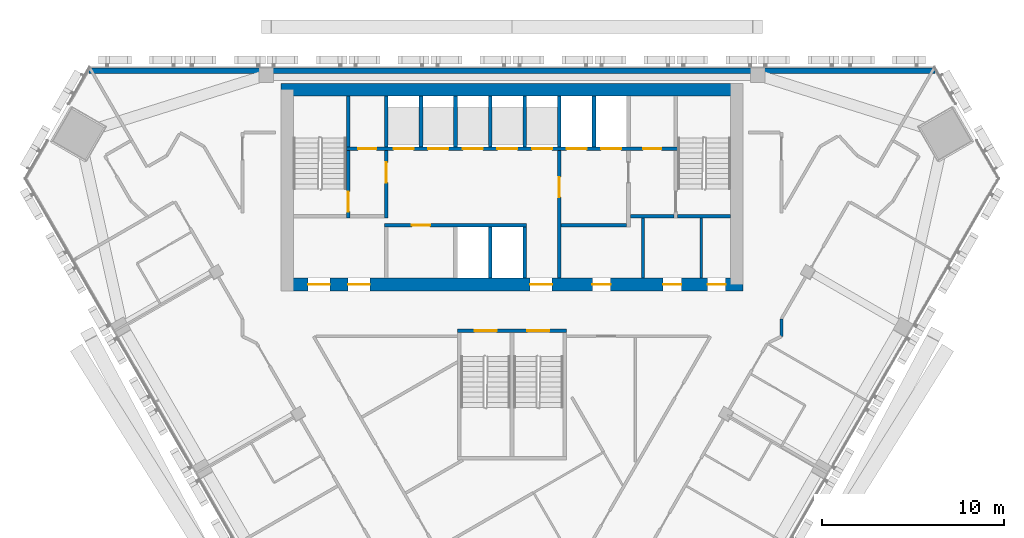
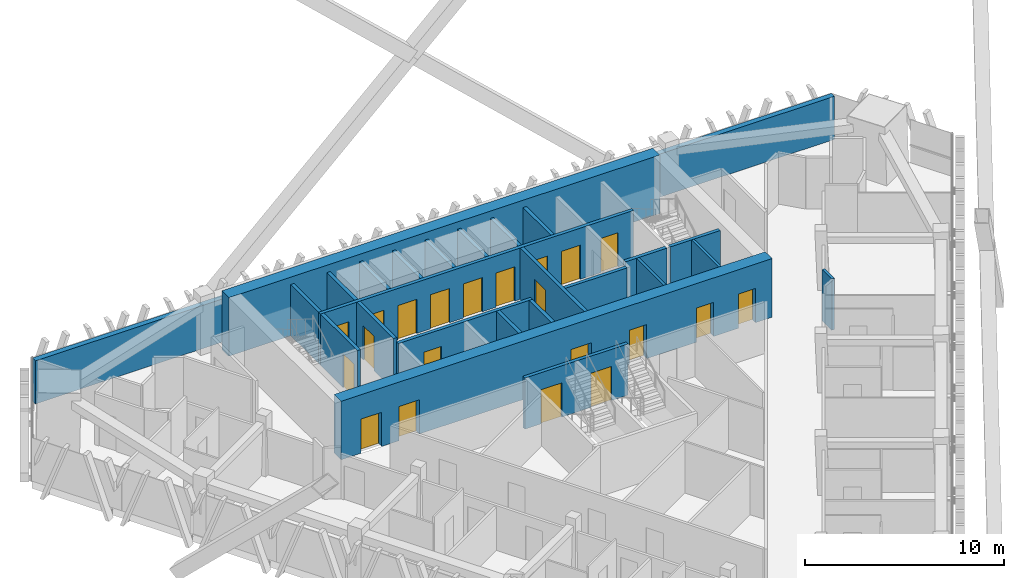
# One storey, part 13 of 18: 25 walls, 21 doors, 21 openings.
"""IFC4 building model written with IfcOpenShell, lengths in metres."""

from ifc_helpers import new_model, si_unit, direction, frame, frame_2d, origin, place, context, subcontext, project, spatial, rectangle, extrude, material, layer, layer_set, type_object, element, fill, save


model = new_model("IFC4")

# Units and contexts
model_context = context("Model", 3, precision=1e-05, world=origin(), true_north=direction((0.0, 1.0)))
body_context = subcontext(model_context, "Body", "Model", "MODEL_VIEW")
ifc_project = project(units=[si_unit("LENGTHUNIT", "METRE"), si_unit("AREAUNIT", "SQUARE_METRE"), si_unit("VOLUMEUNIT", "CUBIC_METRE"), si_unit("PLANEANGLEUNIT", "RADIAN"), si_unit("MASSUNIT", "GRAM", prefix="KILO")], contexts=[model_context])

# Site, building, storey
site_placement = place(None, origin())
site = spatial("IfcSite", under=ifc_project, at=site_placement, CompositionType="ELEMENT")
building_placement = place(site_placement, origin())
building = spatial("IfcBuilding", under=site, at=building_placement, Name="Altiplano Prism Tower", CompositionType="ELEMENT")
storey_placement = place(building_placement, frame((0.0, 0.0, 163.800048828125)))
storey = spatial("IfcBuildingStorey", under=building, at=storey_placement, Name="L42", CompositionType="ELEMENT", Elevation=163.800048828125)

# Wall, openings, doors
ifc_material_1 = material(Name="Concrete C60/75", Category="concrete")
ifc_layer_1 = layer(ifc_material_1, 0.699951171875)
ifc_layer_set_1 = layer_set([ifc_layer_1], Name="Concrete C60/75")
wall_type_1 = type_object("IfcWallType", Name="Core wall 700", PredefinedType="SHEAR", material=ifc_layer_set_1)
wall_1_placement = place(storey_placement, frame((72.64990234375, 93.050048828125, 0.0), z_axis=(0.0, 0.0, 1.0), x_axis=(1.0, 0.0, 0.0)))
wall_1 = element("IfcWall", 1, at=wall_1_placement, inside=storey, type_object=wall_type_1, Name="Core wall S L42", PredefinedType="SHEAR", context=body_context, shape_type="SweptSolid", body=[
    extrude(rectangle(XDim=25.050048828125, YDim=0.699951171875, at=frame_2d((12.52490234375, 0.0))), origin(), (0.0, 0.0, 1.0), 3.599853515625),
])
opening_1_placement = place(wall_1_placement, frame((1.14990234375, 0.0, 0.0)))
opening_1 = element("IfcOpeningElement", 2, at=opening_1_placement, cuts=wall_1, Name="Opening D3159", PredefinedType="OPENING", context=body_context, shape_type="SweptSolid", body=[
    extrude(rectangle(XDim=1.199951171875, YDim=2.10009765625, at=frame_2d((0.60009765625, 1.050048828125))), frame((0.0, 0.3603515625, 0.0), z_axis=(0.0, -1.0, 0.0), x_axis=(1.0, 0.0, 0.0)), (0.0, 0.0, 1.0), 0.720947265625),
])
opening_2_placement = place(wall_1_placement, frame((3.35009765625, 0.0, 0.0)))
opening_2 = element("IfcOpeningElement", 3, at=opening_2_placement, cuts=wall_1, Name="Opening D3160", PredefinedType="OPENING", context=body_context, shape_type="SweptSolid", body=[
    extrude(rectangle(XDim=1.199951171875, YDim=2.10009765625, at=frame_2d((0.60009765625, 1.050048828125))), frame((0.0, 0.3603515625, 0.0), z_axis=(0.0, -1.0, 0.0), x_axis=(1.0, 0.0, 0.0)), (0.0, 0.0, 1.0), 0.720947265625),
])
opening_3_placement = place(wall_1_placement, frame((13.35009765625, 0.0, 0.0)))
opening_3 = element("IfcOpeningElement", 4, at=opening_3_placement, cuts=wall_1, Name="Opening D3161", PredefinedType="OPENING", context=body_context, shape_type="SweptSolid", body=[
    extrude(rectangle(XDim=1.199951171875, YDim=2.10009765625, at=frame_2d((0.60009765625, 1.050048828125))), frame((0.0, 0.3603515625, 0.0), z_axis=(0.0, -1.0, 0.0), x_axis=(1.0, 0.0, 0.0)), (0.0, 0.0, 1.0), 0.720947265625),
])
opening_4_placement = place(wall_1_placement, frame((16.762451171875, 0.0, 0.0)))
opening_4 = element("IfcOpeningElement", 5, at=opening_4_placement, cuts=wall_1, Name="Opening D3164", PredefinedType="OPENING", context=body_context, shape_type="SweptSolid", body=[
    extrude(rectangle(XDim=1.0, YDim=2.10009765625, at=frame_2d((0.5, 1.050048828125))), frame((0.0, 0.3603515625, 0.0), z_axis=(0.0, -1.0, 0.0), x_axis=(1.0, 0.0, 0.0)), (0.0, 0.0, 1.0), 0.720947265625),
])
opening_5_placement = place(wall_1_placement, frame((20.64990234375, 0.0, 0.0)))
opening_5 = element("IfcOpeningElement", 6, at=opening_5_placement, cuts=wall_1, Name="Opening D3165", PredefinedType="OPENING", context=body_context, shape_type="SweptSolid", body=[
    extrude(rectangle(XDim=1.0, YDim=2.10009765625, at=frame_2d((0.5, 1.050048828125))), frame((0.0, 0.3603515625, 0.0), z_axis=(0.0, -1.0, 0.0), x_axis=(1.0, 0.0, 0.0)), (0.0, 0.0, 1.0), 0.720947265625),
])
opening_6_placement = place(wall_1_placement, frame((23.08740234375, 0.0, 0.0)))
opening_6 = element("IfcOpeningElement", 7, at=opening_6_placement, cuts=wall_1, Name="Opening D3166", PredefinedType="OPENING", context=body_context, shape_type="SweptSolid", body=[
    extrude(rectangle(XDim=1.0, YDim=2.10009765625, at=frame_2d((0.5, 1.050048828125))), frame((0.0, 0.3603515625, 0.0), z_axis=(0.0, -1.0, 0.0), x_axis=(1.0, 0.0, 0.0)), (0.0, 0.0, 1.0), 0.720947265625),
])
ifc_material_2 = material(Name="Fire-rated steel door", Category="steel")
door_type_1 = type_object("IfcDoorType", Name="Core room door 1000 x 2100", OperationType="NOTDEFINED", PredefinedType="NOTDEFINED", material=ifc_material_2)
door_1_placement = place(opening_4_placement, origin())
door_1 = element("IfcDoor", 8, at=door_1_placement, inside=storey, type_object=door_type_1, Name="Core room door D3164", OperationType="SINGLE_SWING_RIGHT", OverallHeight=2.10009765625, OverallWidth=1.0, PredefinedType="NOTDEFINED", context=body_context, shape_type="SweptSolid", body=[
    extrude(rectangle(XDim=1.0, YDim=2.10009765625, at=frame_2d((0.5, 1.050048828125))), frame((0.0, 0.02490234375, 0.0), z_axis=(0.0, -1.0, 0.0), x_axis=(1.0, 0.0, 0.0)), (0.0, 0.0, 1.0), 0.050048828125),
])
fill(opening_4, door_1)
door_2_placement = place(opening_5_placement, origin())
door_2 = element("IfcDoor", 9, at=door_2_placement, inside=storey, type_object=door_type_1, Name="Core room door D3165", OperationType="SINGLE_SWING_LEFT", OverallHeight=2.10009765625, OverallWidth=1.0, PredefinedType="NOTDEFINED", context=body_context, shape_type="SweptSolid", body=[
    extrude(rectangle(XDim=1.0, YDim=2.10009765625, at=frame_2d((0.5, 1.050048828125))), frame((0.0, 0.02490234375, 0.0), z_axis=(0.0, -1.0, 0.0), x_axis=(1.0, 0.0, 0.0)), (0.0, 0.0, 1.0), 0.050048828125),
])
fill(opening_5, door_2)
door_3_placement = place(opening_6_placement, origin())
door_3 = element("IfcDoor", 10, at=door_3_placement, inside=storey, type_object=door_type_1, Name="Core room door D3166", OperationType="SINGLE_SWING_RIGHT", OverallHeight=2.10009765625, OverallWidth=1.0, PredefinedType="NOTDEFINED", context=body_context, shape_type="SweptSolid", body=[
    extrude(rectangle(XDim=1.0, YDim=2.10009765625, at=frame_2d((0.5, 1.050048828125))), frame((0.0, 0.02490234375, 0.0), z_axis=(0.0, -1.0, 0.0), x_axis=(1.0, 0.0, 0.0)), (0.0, 0.0, 1.0), 0.050048828125),
])
fill(opening_6, door_3)
door_type_2 = type_object("IfcDoorType", Name="Lobby fire door 1200 x 2100", OperationType="NOTDEFINED", PredefinedType="NOTDEFINED", material=ifc_material_2)
door_4_placement = place(opening_1_placement, origin())
door_4 = element("IfcDoor", 11, at=door_4_placement, inside=storey, type_object=door_type_2, Name="Lobby fire door D3159", OperationType="SINGLE_SWING_RIGHT", OverallHeight=2.10009765625, OverallWidth=1.199951171875, PredefinedType="NOTDEFINED", context=body_context, shape_type="SweptSolid", body=[
    extrude(rectangle(XDim=1.199951171875, YDim=2.10009765625, at=frame_2d((0.60009765625, 1.050048828125))), frame((0.0, 0.02490234375, 0.0), z_axis=(0.0, -1.0, 0.0), x_axis=(1.0, 0.0, 0.0)), (0.0, 0.0, 1.0), 0.050048828125),
])
fill(opening_1, door_4)
door_5_placement = place(opening_2_placement, origin())
door_5 = element("IfcDoor", 12, at=door_5_placement, inside=storey, type_object=door_type_2, Name="Lobby fire door D3160", OperationType="SINGLE_SWING_LEFT", OverallHeight=2.10009765625, OverallWidth=1.199951171875, PredefinedType="NOTDEFINED", context=body_context, shape_type="SweptSolid", body=[
    extrude(rectangle(XDim=1.199951171875, YDim=2.10009765625, at=frame_2d((0.60009765625, 1.050048828125))), frame((0.0, 0.02490234375, 0.0), z_axis=(0.0, -1.0, 0.0), x_axis=(1.0, 0.0, 0.0)), (0.0, 0.0, 1.0), 0.050048828125),
])
fill(opening_2, door_5)
door_6_placement = place(opening_3_placement, origin())
door_6 = element("IfcDoor", 13, at=door_6_placement, inside=storey, type_object=door_type_2, Name="Lobby fire door D3161", OperationType="SINGLE_SWING_RIGHT", OverallHeight=2.10009765625, OverallWidth=1.199951171875, PredefinedType="NOTDEFINED", context=body_context, shape_type="SweptSolid", body=[
    extrude(rectangle(XDim=1.199951171875, YDim=2.10009765625, at=frame_2d((0.60009765625, 1.050048828125))), frame((0.0, 0.02490234375, 0.0), z_axis=(0.0, -1.0, 0.0), x_axis=(1.0, 0.0, 0.0)), (0.0, 0.0, 1.0), 0.050048828125),
])
fill(opening_3, door_6)

# Walls
wall_2_placement = place(storey_placement, frame((97.35009765625, 103.75, 0.0), z_axis=(0.0, 0.0, 1.0), x_axis=(-1.0, 0.0, 0.0)))
element("IfcWall", 14, at=wall_2_placement, inside=storey, type_object=wall_type_1, Name="Core wall N L42", PredefinedType="SHEAR", context=body_context, shape_type="SweptSolid", body=[
    extrude(rectangle(XDim=25.050048828125, YDim=0.699951171875, at=frame_2d((12.52490234375, 0.0))), origin(), (0.0, 0.0, 1.0), 3.599853515625),
])
ifc_material_3 = material(Name="Plasterboard on steel stud", Category="steel")
ifc_layer_2 = layer(ifc_material_3, 0.14990234375)
ifc_layer_set_2 = layer_set([ifc_layer_2], Name="Plasterboard on steel stud")
wall_type_2 = type_object("IfcWallType", Name="Partition 150 corridor", PredefinedType="PARTITIONING", material=ifc_layer_set_2)
wall_3_placement = place(storey_placement, frame((99.800048828125, 90.199951171875, 0.0), z_axis=(0.0, 0.0, 1.0), x_axis=(0.0, 1.0, 0.0)))
element("IfcWall", 15, at=wall_3_placement, inside=storey, type_object=wall_type_2, Name="Partition P06 L42 015", PredefinedType="PARTITIONING", context=body_context, shape_type="SweptSolid", body=[
    extrude(rectangle(XDim=0.9638671875, YDim=0.14990234375, at=frame_2d((0.48193359375, 0.0))), origin(), (0.0, 0.0, 1.0), 3.14990234375),
])
ifc_material_4 = material(Name="Fire-rated gypsum board partition")
ifc_layer_3 = layer(ifc_material_4, 0.14990234375)
ifc_layer_set_3 = layer_set([ifc_layer_3], Name="Fire-rated gypsum board partition")
wall_type_3 = type_object("IfcWallType", Name="Room partition 150", PredefinedType="PARTITIONING", material=ifc_layer_set_3)
for number, where, z_axis, x_axis, name in (
    (16, (92.199951171875, 93.39990234375, 0.0), (0.0, 0.0, 1.0), (0.0, 1.0, 0.0), "Room partition L42"),
    (17, (95.39990234375, 93.39990234375, 0.0), (0.0, 0.0, 1.0), (0.0, 1.0, 0.0), "Room partition L42"),
):
    element("IfcWall", number, at=place(storey_placement, frame(where, z_axis=z_axis, x_axis=x_axis)), inside=storey, type_object=wall_type_3, Name=name, PredefinedType="PARTITIONING", context=body_context, shape_type="SweptSolid", body=[
        extrude(rectangle(XDim=3.300048828125, YDim=0.14990234375, at=frame_2d((1.64990234375, 0.0))), origin(), (0.0, 0.0, 1.0), 3.14990234375),
    ])
ifc_layer_4 = layer(ifc_material_1, 0.199951171875)
ifc_layer_set_4 = layer_set([ifc_layer_4], Name="Concrete C60/75")
wall_type_4 = type_object("IfcWallType", Name="Shaft wall 200", PredefinedType="SOLIDWALL", material=ifc_layer_set_4)
for number, where, z_axis, x_axis, name in (
    (18, (83.800048828125, 93.39990234375, 0.0), (0.0, 0.0, 1.0), (0.0, 1.0, 0.0), "Shaft wall L42"),
    (19, (85.699951171875, 93.39990234375, 0.0), (0.0, 0.0, 1.0), (0.0, 1.0, 0.0), "Shaft wall L42"),
):
    element("IfcWall", number, at=place(storey_placement, frame(where, z_axis=z_axis, x_axis=x_axis)), inside=storey, type_object=wall_type_4, Name=name, PredefinedType="SOLIDWALL", context=body_context, shape_type="SweptSolid", body=[
        extrude(rectangle(XDim=2.800048828125, YDim=0.199951171875, at=frame_2d((1.39990234375, 0.0))), origin(), (0.0, 0.0, 1.0), 3.14990234375),
    ])

# Wall, opening, door
wall_4_placement = place(storey_placement, frame((78.0, 96.300048828125, 0.0), z_axis=(0.0, 0.0, 1.0), x_axis=(1.0, 0.0, 0.0)))
wall_4 = element("IfcWall", 20, at=wall_4_placement, inside=storey, type_object=wall_type_4, Name="Shaft wall L42", PredefinedType="SOLIDWALL", context=body_context, shape_type="SweptSolid", body=[
    extrude(rectangle(XDim=7.800048828125, YDim=0.199951171875, at=frame_2d((3.89990234375, 0.0))), origin(), (0.0, 0.0, 1.0), 3.14990234375),
])
opening_7_placement = place(wall_4_placement, frame((1.5, 0.0, 0.0)))
opening_7 = element("IfcOpeningElement", 21, at=opening_7_placement, cuts=wall_4, Name="Opening D3167", PredefinedType="OPENING", context=body_context, shape_type="SweptSolid", body=[
    extrude(rectangle(XDim=1.0, YDim=2.10009765625, at=frame_2d((0.5, 1.050048828125))), frame((0.0, 0.1103515625, 0.0), z_axis=(0.0, -1.0, 0.0), x_axis=(1.0, 0.0, 0.0)), (0.0, 0.0, 1.0), 0.220947265625),
])
door_7_placement = place(opening_7_placement, origin())
door_7 = element("IfcDoor", 22, at=door_7_placement, inside=storey, type_object=door_type_1, Name="Core room door D3167", OperationType="SINGLE_SWING_RIGHT", OverallHeight=2.10009765625, OverallWidth=1.0, PredefinedType="NOTDEFINED", context=body_context, shape_type="SweptSolid", body=[
    extrude(rectangle(XDim=1.0, YDim=2.10009765625, at=frame_2d((0.5, 1.050048828125))), frame((0.0, 0.02490234375, 0.0), z_axis=(0.0, -1.0, 0.0), x_axis=(1.0, 0.0, 0.0)), (0.0, 0.0, 1.0), 0.050048828125),
])
fill(opening_7, door_7)

# Walls
for number, where, z_axis, x_axis, name in (
    (23, (78.10009765625, 100.60009765625, 0.0), (0.0, 0.0, 1.0), (0.0, 1.0, 0.0), "Shaft wall L42"),
    (24, (80.0, 100.60009765625, 0.0), (0.0, 0.0, 1.0), (0.0, 1.0, 0.0), "Shaft wall L42"),
    (25, (81.89990234375, 100.60009765625, 0.0), (0.0, 0.0, 1.0), (0.0, 1.0, 0.0), "Shaft wall L42"),
    (26, (83.800048828125, 100.60009765625, 0.0), (0.0, 0.0, 1.0), (0.0, 1.0, 0.0), "Shaft wall L42"),
    (27, (85.699951171875, 100.60009765625, 0.0), (0.0, 0.0, 1.0), (0.0, 1.0, 0.0), "Shaft wall L42"),
    (28, (87.60009765625, 100.60009765625, 0.0), (0.0, 0.0, 1.0), (0.0, 1.0, 0.0), "Shaft wall L42"),
    (29, (89.5, 100.60009765625, 0.0), (0.0, 0.0, 1.0), (0.0, 1.0, 0.0), "Shaft wall L42"),
):
    element("IfcWall", number, at=place(storey_placement, frame(where, z_axis=z_axis, x_axis=x_axis)), inside=storey, type_object=wall_type_4, Name=name, PredefinedType="SOLIDWALL", context=body_context, shape_type="SweptSolid", body=[
        extrude(rectangle(XDim=2.7998046875, YDim=0.199951171875, at=frame_2d((1.39990234375, 0.0))), origin(), (0.0, 0.0, 1.0), 3.14990234375),
    ])

# Wall, opening, door
ifc_layer_5 = layer(ifc_material_1, 0.199951171875)
ifc_layer_set_5 = layer_set([ifc_layer_5], Name="Concrete C60/75")
wall_type_5 = type_object("IfcWallType", Name="Stair wall 200", PredefinedType="SOLIDWALL", material=ifc_layer_set_5)
wall_5_placement = place(storey_placement, frame((76.0, 96.699951171875, 0.0), z_axis=(0.0, 0.0, 1.0), x_axis=(0.0, 1.0, 0.0)))
wall_5 = element("IfcWall", 30, at=wall_5_placement, inside=storey, type_object=wall_type_5, Name="Stair wall L42", PredefinedType="SOLIDWALL", context=body_context, shape_type="SweptSolid", body=[
    extrude(rectangle(XDim=3.699951171875, YDim=0.199951171875, at=frame_2d((1.85009765625, 0.0))), origin(), (0.0, 0.0, 1.0), 3.14990234375),
])
opening_8_placement = place(wall_5_placement, frame((0.35009765625, 0.0, 0.0)))
opening_8 = element("IfcOpeningElement", 31, at=opening_8_placement, cuts=wall_5, Name="Opening D3154", PredefinedType="OPENING", context=body_context, shape_type="SweptSolid", body=[
    extrude(rectangle(XDim=1.10009765625, YDim=2.10009765625, at=frame_2d((0.550048828125, 1.050048828125))), frame((0.0, 0.1103515625, 0.0), z_axis=(0.0, -1.0, 0.0), x_axis=(1.0, 0.0, 0.0)), (0.0, 0.0, 1.0), 0.220947265625),
])
door_type_3 = type_object("IfcDoorType", Name="Stair fire door 1100 x 2100", OperationType="NOTDEFINED", PredefinedType="NOTDEFINED", material=ifc_material_2)
door_8_placement = place(opening_8_placement, origin())
door_8 = element("IfcDoor", 32, at=door_8_placement, inside=storey, type_object=door_type_3, Name="Stair fire door D3154", OperationType="SINGLE_SWING_RIGHT", OverallHeight=2.10009765625, OverallWidth=1.10009765625, PredefinedType="NOTDEFINED", context=body_context, shape_type="SweptSolid", body=[
    extrude(rectangle(XDim=1.10009765625, YDim=2.10009765625, at=frame_2d((0.550048828125, 1.050048828125))), frame((0.0, 0.02490234375, 0.0), z_axis=(0.0, -1.0, 0.0), x_axis=(1.0, 0.0, 0.0)), (0.0, 0.0, 1.0), 0.050048828125),
])
fill(opening_8, door_8)

# Wall
wall_6_placement = place(storey_placement, frame((94.10009765625, 96.800048828125, 0.0), z_axis=(0.0, 0.0, 1.0), x_axis=(1.0, 0.0, 0.0)))
element("IfcWall", 33, at=wall_6_placement, inside=storey, type_object=wall_type_5, Name="Stair wall L42", PredefinedType="SOLIDWALL", context=body_context, shape_type="SweptSolid", body=[
    extrude(rectangle(XDim=2.89990234375, YDim=0.199951171875, at=frame_2d((1.449951171875, 0.0))), origin(), (0.0, 0.0, 1.0), 3.14990234375),
])

# Wall, openings, doors
wall_7_placement = place(storey_placement, frame((75.89990234375, 100.5, 0.0), z_axis=(0.0, 0.0, 1.0), x_axis=(1.0, 0.0, 0.0)))
wall_7 = element("IfcWall", 34, at=wall_7_placement, inside=storey, type_object=wall_type_5, Name="Stair wall L42", PredefinedType="SOLIDWALL", context=body_context, shape_type="SweptSolid", body=[
    extrude(rectangle(XDim=18.2001953125, YDim=0.199951171875, at=frame_2d((9.10009765625, 0.0))), origin(), (0.0, 0.0, 1.0), 3.14990234375),
])
opening_9_placement = place(wall_7_placement, frame((2.60009765625, 0.0, 0.0)))
opening_9 = element("IfcOpeningElement", 35, at=opening_9_placement, cuts=wall_7, Name="Opening LD-ML1-L42", PredefinedType="OPENING", context=body_context, shape_type="SweptSolid", body=[
    extrude(rectangle(XDim=1.10009765625, YDim=2.10009765625, at=frame_2d((0.550048828125, 1.050048828125))), frame((0.0, 0.1103515625, 0.0), z_axis=(0.0, -1.0, 0.0), x_axis=(1.0, 0.0, 0.0)), (0.0, 0.0, 1.0), 0.220947265625),
])
opening_10_placement = place(wall_7_placement, frame((4.5, 0.0, 0.0)))
opening_10 = element("IfcOpeningElement", 36, at=opening_10_placement, cuts=wall_7, Name="Opening LD-ML2-L42", PredefinedType="OPENING", context=body_context, shape_type="SweptSolid", body=[
    extrude(rectangle(XDim=1.10009765625, YDim=2.10009765625, at=frame_2d((0.550048828125, 1.050048828125))), frame((0.0, 0.1103515625, 0.0), z_axis=(0.0, -1.0, 0.0), x_axis=(1.0, 0.0, 0.0)), (0.0, 0.0, 1.0), 0.220947265625),
])
opening_11_placement = place(wall_7_placement, frame((6.39990234375, 0.0, 0.0)))
opening_11 = element("IfcOpeningElement", 37, at=opening_11_placement, cuts=wall_7, Name="Opening LD-ML3-L42", PredefinedType="OPENING", context=body_context, shape_type="SweptSolid", body=[
    extrude(rectangle(XDim=1.10009765625, YDim=2.10009765625, at=frame_2d((0.550048828125, 1.050048828125))), frame((0.0, 0.1103515625, 0.0), z_axis=(0.0, -1.0, 0.0), x_axis=(1.0, 0.0, 0.0)), (0.0, 0.0, 1.0), 0.220947265625),
])
opening_12_placement = place(wall_7_placement, frame((8.300048828125, 0.0, 0.0)))
opening_12 = element("IfcOpeningElement", 38, at=opening_12_placement, cuts=wall_7, Name="Opening LD-ML4-L42", PredefinedType="OPENING", context=body_context, shape_type="SweptSolid", body=[
    extrude(rectangle(XDim=1.10009765625, YDim=2.10009765625, at=frame_2d((0.550048828125, 1.050048828125))), frame((0.0, 0.1103515625, 0.0), z_axis=(0.0, -1.0, 0.0), x_axis=(1.0, 0.0, 0.0)), (0.0, 0.0, 1.0), 0.220947265625),
])
opening_13_placement = place(wall_7_placement, frame((10.199951171875, 0.0, 0.0)))
opening_13 = element("IfcOpeningElement", 39, at=opening_13_placement, cuts=wall_7, Name="Opening LD-ML5-L42", PredefinedType="OPENING", context=body_context, shape_type="SweptSolid", body=[
    extrude(rectangle(XDim=1.10009765625, YDim=2.10009765625, at=frame_2d((0.550048828125, 1.050048828125))), frame((0.0, 0.1103515625, 0.0), z_axis=(0.0, -1.0, 0.0), x_axis=(1.0, 0.0, 0.0)), (0.0, 0.0, 1.0), 0.220947265625),
])
opening_14_placement = place(wall_7_placement, frame((12.10009765625, 0.0, 0.0)))
opening_14 = element("IfcOpeningElement", 40, at=opening_14_placement, cuts=wall_7, Name="Opening LD-FF1-L42", PredefinedType="OPENING", context=body_context, shape_type="SweptSolid", body=[
    extrude(rectangle(XDim=1.10009765625, YDim=2.10009765625, at=frame_2d((0.550048828125, 1.050048828125))), frame((0.0, 0.1103515625, 0.0), z_axis=(0.0, -1.0, 0.0), x_axis=(1.0, 0.0, 0.0)), (0.0, 0.0, 1.0), 0.220947265625),
])
opening_15_placement = place(wall_7_placement, frame((14.0, 0.0, 0.0)))
opening_15 = element("IfcOpeningElement", 41, at=opening_15_placement, cuts=wall_7, Name="Opening LD-FF2-L42", PredefinedType="OPENING", context=body_context, shape_type="SweptSolid", body=[
    extrude(rectangle(XDim=1.10009765625, YDim=2.10009765625, at=frame_2d((0.550048828125, 1.050048828125))), frame((0.0, 0.1103515625, 0.0), z_axis=(0.0, -1.0, 0.0), x_axis=(1.0, 0.0, 0.0)), (0.0, 0.0, 1.0), 0.220947265625),
])
opening_16_placement = place(wall_7_placement, frame((0.64990234375, 0.0, 0.0)))
opening_16 = element("IfcOpeningElement", 42, at=opening_16_placement, cuts=wall_7, Name="Opening D3162", PredefinedType="OPENING", context=body_context, shape_type="SweptSolid", body=[
    extrude(rectangle(XDim=1.0, YDim=2.10009765625, at=frame_2d((0.5, 1.050048828125))), frame((0.0, 0.1103515625, 0.0), z_axis=(0.0, -1.0, 0.0), x_axis=(1.0, 0.0, 0.0)), (0.0, 0.0, 1.0), 0.220947265625),
])
opening_17_placement = place(wall_7_placement, frame((16.300048828125, 0.0, 0.0)))
opening_17 = element("IfcOpeningElement", 43, at=opening_17_placement, cuts=wall_7, Name="Opening D3163", PredefinedType="OPENING", context=body_context, shape_type="SweptSolid", body=[
    extrude(rectangle(XDim=1.0, YDim=2.10009765625, at=frame_2d((0.5, 1.050048828125))), frame((0.0, 0.1103515625, 0.0), z_axis=(0.0, -1.0, 0.0), x_axis=(1.0, 0.0, 0.0)), (0.0, 0.0, 1.0), 0.220947265625),
])
door_9_placement = place(opening_16_placement, origin())
door_9 = element("IfcDoor", 44, at=door_9_placement, inside=storey, type_object=door_type_1, Name="Core room door D3162", OperationType="SINGLE_SWING_LEFT", OverallHeight=2.10009765625, OverallWidth=1.0, PredefinedType="NOTDEFINED", context=body_context, shape_type="SweptSolid", body=[
    extrude(rectangle(XDim=1.0, YDim=2.10009765625, at=frame_2d((0.5, 1.050048828125))), frame((0.0, 0.02490234375, 0.0), z_axis=(0.0, -1.0, 0.0), x_axis=(1.0, 0.0, 0.0)), (0.0, 0.0, 1.0), 0.050048828125),
])
fill(opening_16, door_9)
door_10_placement = place(opening_17_placement, origin())
door_10 = element("IfcDoor", 45, at=door_10_placement, inside=storey, type_object=door_type_1, Name="Core room door D3163", OperationType="SINGLE_SWING_RIGHT", OverallHeight=2.10009765625, OverallWidth=1.0, PredefinedType="NOTDEFINED", context=body_context, shape_type="SweptSolid", body=[
    extrude(rectangle(XDim=1.0, YDim=2.10009765625, at=frame_2d((0.5, 1.050048828125))), frame((0.0, 0.02490234375, 0.0), z_axis=(0.0, -1.0, 0.0), x_axis=(1.0, 0.0, 0.0)), (0.0, 0.0, 1.0), 0.050048828125),
])
fill(opening_17, door_10)
ifc_material_5 = material(Name="Stainless steel landing door", Category="steel")
door_type_4 = type_object("IfcDoorType", Name="Landing door 1100 x 2100", OperationType="NOTDEFINED", PredefinedType="NOTDEFINED", material=ifc_material_5)
door_11_placement = place(opening_9_placement, origin())
door_11 = element("IfcDoor", 46, at=door_11_placement, inside=storey, type_object=door_type_4, Name="Landing doors ML1", OperationType="SLIDING_TO_RIGHT", OverallHeight=2.10009765625, OverallWidth=1.10009765625, PredefinedType="NOTDEFINED", context=body_context, shape_type="SweptSolid", body=[
    extrude(rectangle(XDim=1.10009765625, YDim=2.10009765625, at=frame_2d((0.550048828125, 1.050048828125))), frame((0.0, 0.02490234375, 0.0), z_axis=(0.0, -1.0, 0.0), x_axis=(1.0, 0.0, 0.0)), (0.0, 0.0, 1.0), 0.050048828125),
])
fill(opening_9, door_11)
door_12_placement = place(opening_10_placement, origin())
door_12 = element("IfcDoor", 47, at=door_12_placement, inside=storey, type_object=door_type_4, Name="Landing doors ML2", OperationType="SLIDING_TO_LEFT", OverallHeight=2.10009765625, OverallWidth=1.10009765625, PredefinedType="NOTDEFINED", context=body_context, shape_type="SweptSolid", body=[
    extrude(rectangle(XDim=1.10009765625, YDim=2.10009765625, at=frame_2d((0.550048828125, 1.050048828125))), frame((0.0, 0.02490234375, 0.0), z_axis=(0.0, -1.0, 0.0), x_axis=(1.0, 0.0, 0.0)), (0.0, 0.0, 1.0), 0.050048828125),
])
fill(opening_10, door_12)
door_13_placement = place(opening_11_placement, origin())
door_13 = element("IfcDoor", 48, at=door_13_placement, inside=storey, type_object=door_type_4, Name="Landing doors ML3", OperationType="SLIDING_TO_RIGHT", OverallHeight=2.10009765625, OverallWidth=1.10009765625, PredefinedType="NOTDEFINED", context=body_context, shape_type="SweptSolid", body=[
    extrude(rectangle(XDim=1.10009765625, YDim=2.10009765625, at=frame_2d((0.550048828125, 1.050048828125))), frame((0.0, 0.02490234375, 0.0), z_axis=(0.0, -1.0, 0.0), x_axis=(1.0, 0.0, 0.0)), (0.0, 0.0, 1.0), 0.050048828125),
])
fill(opening_11, door_13)
door_14_placement = place(opening_12_placement, origin())
door_14 = element("IfcDoor", 49, at=door_14_placement, inside=storey, type_object=door_type_4, Name="Landing doors ML4", OperationType="SLIDING_TO_LEFT", OverallHeight=2.10009765625, OverallWidth=1.10009765625, PredefinedType="NOTDEFINED", context=body_context, shape_type="SweptSolid", body=[
    extrude(rectangle(XDim=1.10009765625, YDim=2.10009765625, at=frame_2d((0.550048828125, 1.050048828125))), frame((0.0, 0.02490234375, 0.0), z_axis=(0.0, -1.0, 0.0), x_axis=(1.0, 0.0, 0.0)), (0.0, 0.0, 1.0), 0.050048828125),
])
fill(opening_12, door_14)
door_15_placement = place(opening_13_placement, origin())
door_15 = element("IfcDoor", 50, at=door_15_placement, inside=storey, type_object=door_type_4, Name="Landing doors ML5", OperationType="SLIDING_TO_RIGHT", OverallHeight=2.10009765625, OverallWidth=1.10009765625, PredefinedType="NOTDEFINED", context=body_context, shape_type="SweptSolid", body=[
    extrude(rectangle(XDim=1.10009765625, YDim=2.10009765625, at=frame_2d((0.550048828125, 1.050048828125))), frame((0.0, 0.02490234375, 0.0), z_axis=(0.0, -1.0, 0.0), x_axis=(1.0, 0.0, 0.0)), (0.0, 0.0, 1.0), 0.050048828125),
])
fill(opening_13, door_15)
door_16_placement = place(opening_14_placement, origin())
door_16 = element("IfcDoor", 51, at=door_16_placement, inside=storey, type_object=door_type_4, Name="Landing doors FF1", OperationType="SLIDING_TO_RIGHT", OverallHeight=2.10009765625, OverallWidth=1.10009765625, PredefinedType="NOTDEFINED", context=body_context, shape_type="SweptSolid", body=[
    extrude(rectangle(XDim=1.10009765625, YDim=2.10009765625, at=frame_2d((0.550048828125, 1.050048828125))), frame((0.0, 0.02490234375, 0.0), z_axis=(0.0, -1.0, 0.0), x_axis=(1.0, 0.0, 0.0)), (0.0, 0.0, 1.0), 0.050048828125),
])
fill(opening_14, door_16)
door_17_placement = place(opening_15_placement, origin())
door_17 = element("IfcDoor", 52, at=door_17_placement, inside=storey, type_object=door_type_4, Name="Landing doors FF2", OperationType="SLIDING_TO_LEFT", OverallHeight=2.10009765625, OverallWidth=1.10009765625, PredefinedType="NOTDEFINED", context=body_context, shape_type="SweptSolid", body=[
    extrude(rectangle(XDim=1.10009765625, YDim=2.10009765625, at=frame_2d((0.550048828125, 1.050048828125))), frame((0.0, 0.02490234375, 0.0), z_axis=(0.0, -1.0, 0.0), x_axis=(1.0, 0.0, 0.0)), (0.0, 0.0, 1.0), 0.050048828125),
])
fill(opening_15, door_17)

# Wall
wall_8_placement = place(storey_placement, frame((76.0, 100.60009765625, 0.0), z_axis=(0.0, 0.0, 1.0), x_axis=(0.0, 1.0, 0.0)))
element("IfcWall", 53, at=wall_8_placement, inside=storey, type_object=wall_type_5, Name="Stair wall L42", PredefinedType="SOLIDWALL", context=body_context, shape_type="SweptSolid", body=[
    extrude(rectangle(XDim=2.7998046875, YDim=0.199951171875, at=frame_2d((1.39990234375, 0.0))), origin(), (0.0, 0.0, 1.0), 3.14990234375),
])

# Wall, openings, doors
wall_9_placement = place(storey_placement, frame((82.0, 90.5, 0.0), z_axis=(0.0, 0.0, 1.0), x_axis=(1.0, 0.0, 0.0)))
wall_9 = element("IfcWall", 54, at=wall_9_placement, inside=storey, type_object=wall_type_5, Name="Stair 3 wall north L42", PredefinedType="SOLIDWALL", context=body_context, shape_type="SweptSolid", body=[
    extrude(rectangle(XDim=6.0, YDim=0.199951171875, at=frame_2d((3.0, 0.0))), origin(), (0.0, 0.0, 1.0), 3.14990234375),
])
opening_18_placement = place(wall_9_placement, frame((0.949951171875, 0.0, 0.0)))
opening_18 = element("IfcOpeningElement", 55, at=opening_18_placement, cuts=wall_9, Name="Opening D4006", PredefinedType="OPENING", context=body_context, shape_type="SweptSolid", body=[
    extrude(rectangle(XDim=1.199951171875, YDim=2.10009765625, at=frame_2d((0.60009765625, 1.050048828125))), frame((0.0, 0.1103515625, 0.0), z_axis=(0.0, -1.0, 0.0), x_axis=(1.0, 0.0, 0.0)), (0.0, 0.0, 1.0), 0.220947265625),
])
opening_19_placement = place(wall_9_placement, frame((3.85009765625, 0.0, 0.0)))
opening_19 = element("IfcOpeningElement", 56, at=opening_19_placement, cuts=wall_9, Name="Opening D4007", PredefinedType="OPENING", context=body_context, shape_type="SweptSolid", body=[
    extrude(rectangle(XDim=1.199951171875, YDim=2.10009765625, at=frame_2d((0.60009765625, 1.050048828125))), frame((0.0, 0.1103515625, 0.0), z_axis=(0.0, -1.0, 0.0), x_axis=(1.0, 0.0, 0.0)), (0.0, 0.0, 1.0), 0.220947265625),
])
door_type_5 = type_object("IfcDoorType", Name="Stair fire door 1200 x 2100", OperationType="NOTDEFINED", PredefinedType="NOTDEFINED", material=ifc_material_2)
door_18_placement = place(opening_18_placement, origin())
door_18 = element("IfcDoor", 57, at=door_18_placement, inside=storey, type_object=door_type_5, Name="Stair fire door D4006", OperationType="SINGLE_SWING_LEFT", OverallHeight=2.10009765625, OverallWidth=1.199951171875, PredefinedType="NOTDEFINED", context=body_context, shape_type="SweptSolid", body=[
    extrude(rectangle(XDim=1.199951171875, YDim=2.10009765625, at=frame_2d((0.60009765625, 1.050048828125))), frame((0.0, 0.02490234375, 0.0), z_axis=(0.0, -1.0, 0.0), x_axis=(1.0, 0.0, 0.0)), (0.0, 0.0, 1.0), 0.050048828125),
])
fill(opening_18, door_18)
door_19_placement = place(opening_19_placement, origin())
door_19 = element("IfcDoor", 58, at=door_19_placement, inside=storey, type_object=door_type_5, Name="Stair fire door D4007", OperationType="SINGLE_SWING_LEFT", OverallHeight=2.10009765625, OverallWidth=1.199951171875, PredefinedType="NOTDEFINED", context=body_context, shape_type="SweptSolid", body=[
    extrude(rectangle(XDim=1.199951171875, YDim=2.10009765625, at=frame_2d((0.60009765625, 1.050048828125))), frame((0.0, 0.02490234375, 0.0), z_axis=(0.0, -1.0, 0.0), x_axis=(1.0, 0.0, 0.0)), (0.0, 0.0, 1.0), 0.050048828125),
])
fill(opening_19, door_19)

# Wall
ifc_material_6 = material(Name="Concrete C40", Category="concrete")
ifc_layer_6 = layer(ifc_material_6, 0.300048828125)
ifc_layer_set_6 = layer_set([ifc_layer_6], Name="Concrete C40")
wall_type_6 = type_object("IfcWallType", Name="Stone-clad external wall 300", PredefinedType="SOLIDWALL", material=ifc_layer_set_6)
wall_10_placement = place(storey_placement, frame((61.78125, 104.7900390625, 0.0), z_axis=(0.0, 0.0, 1.0), x_axis=(1.0, 0.0, 0.0)))
element("IfcWall", 59, at=wall_10_placement, inside=storey, type_object=wall_type_6, Name="External wall north face L42", PredefinedType="SOLIDWALL", context=body_context, shape_type="SweptSolid", body=[
    extrude(rectangle(XDim=46.4375, YDim=0.300048828125, at=frame_2d((23.21875, 0.0))), origin(), (0.0, 0.0, 1.0), 2.64990234375),
])

# Wall, opening, door
ifc_layer_7 = layer(ifc_material_1, 0.199951171875)
ifc_layer_set_7 = layer_set([ifc_layer_7], Name="Concrete C60/75")
wall_type_7 = type_object("IfcWallType", Name="Vestibule wall 200", PredefinedType="PARTITIONING", material=ifc_layer_set_7)
wall_11_placement = place(storey_placement, frame((87.60009765625, 93.39990234375, 0.0), z_axis=(0.0, 0.0, 1.0), x_axis=(0.0, 1.0, 0.0)))
wall_11 = element("IfcWall", 60, at=wall_11_placement, inside=storey, type_object=wall_type_7, Name="Vestibule wall L42", PredefinedType="PARTITIONING", context=body_context, shape_type="SweptSolid", body=[
    extrude(rectangle(XDim=7.0, YDim=0.199951171875, at=frame_2d((3.5, 0.0))), origin(), (0.0, 0.0, 1.0), 3.14990234375),
])
opening_20_placement = place(wall_11_placement, frame((4.449951171875, 0.0, 0.0)))
opening_20 = element("IfcOpeningElement", 61, at=opening_20_placement, cuts=wall_11, Name="Opening D3157", PredefinedType="OPENING", context=body_context, shape_type="SweptSolid", body=[
    extrude(rectangle(XDim=1.10009765625, YDim=2.10009765625, at=frame_2d((0.550048828125, 1.050048828125))), frame((0.0, 0.1103515625, 0.0), z_axis=(0.0, -1.0, 0.0), x_axis=(1.0, 0.0, 0.0)), (0.0, 0.0, 1.0), 0.220947265625),
])
door_type_6 = type_object("IfcDoorType", Name="Vestibule fire door 1100 x 2100", OperationType="NOTDEFINED", PredefinedType="NOTDEFINED", material=ifc_material_2)
door_20_placement = place(opening_20_placement, origin())
door_20 = element("IfcDoor", 62, at=door_20_placement, inside=storey, type_object=door_type_6, Name="Vestibule fire door D3157", OperationType="SINGLE_SWING_RIGHT", OverallHeight=2.10009765625, OverallWidth=1.10009765625, PredefinedType="NOTDEFINED", context=body_context, shape_type="SweptSolid", body=[
    extrude(rectangle(XDim=1.10009765625, YDim=2.10009765625, at=frame_2d((0.550048828125, 1.050048828125))), frame((0.0, 0.02490234375, 0.0), z_axis=(0.0, -1.0, 0.0), x_axis=(1.0, 0.0, 0.0)), (0.0, 0.0, 1.0), 0.050048828125),
])
fill(opening_20, door_20)

# Wall
wall_12_placement = place(storey_placement, frame((87.699951171875, 96.300048828125, 0.0), z_axis=(0.0, 0.0, 1.0), x_axis=(1.0, 0.0, 0.0)))
element("IfcWall", 63, at=wall_12_placement, inside=storey, type_object=wall_type_7, Name="Vestibule wall L42", PredefinedType="PARTITIONING", context=body_context, shape_type="SweptSolid", body=[
    extrude(rectangle(XDim=3.60009765625, YDim=0.199951171875, at=frame_2d((1.800048828125, 0.0))), origin(), (0.0, 0.0, 1.0), 3.14990234375),
])

# Wall, opening, door
wall_13_placement = place(storey_placement, frame((78.10009765625, 96.699951171875, 0.0), z_axis=(0.0, 0.0, 1.0), x_axis=(0.0, 1.0, 0.0)))
wall_13 = element("IfcWall", 64, at=wall_13_placement, inside=storey, type_object=wall_type_7, Name="Vestibule wall L42", PredefinedType="PARTITIONING", context=body_context, shape_type="SweptSolid", body=[
    extrude(rectangle(XDim=3.699951171875, YDim=0.199951171875, at=frame_2d((1.85009765625, 0.0))), origin(), (0.0, 0.0, 1.0), 3.14990234375),
])
opening_21_placement = place(wall_13_placement, frame((1.949951171875, 0.0, 0.0)))
opening_21 = element("IfcOpeningElement", 65, at=opening_21_placement, cuts=wall_13, Name="Opening D3156", PredefinedType="OPENING", context=body_context, shape_type="SweptSolid", body=[
    extrude(rectangle(XDim=1.10009765625, YDim=2.10009765625, at=frame_2d((0.550048828125, 1.050048828125))), frame((0.0, 0.1103515625, 0.0), z_axis=(0.0, -1.0, 0.0), x_axis=(1.0, 0.0, 0.0)), (0.0, 0.0, 1.0), 0.220947265625),
])
door_21_placement = place(opening_21_placement, origin())
door_21 = element("IfcDoor", 66, at=door_21_placement, inside=storey, type_object=door_type_6, Name="Vestibule fire door D3156", OperationType="SINGLE_SWING_LEFT", OverallHeight=2.10009765625, OverallWidth=1.10009765625, PredefinedType="NOTDEFINED", context=body_context, shape_type="SweptSolid", body=[
    extrude(rectangle(XDim=1.10009765625, YDim=2.10009765625, at=frame_2d((0.550048828125, 1.050048828125))), frame((0.0, 0.02490234375, 0.0), z_axis=(0.0, -1.0, 0.0), x_axis=(1.0, 0.0, 0.0)), (0.0, 0.0, 1.0), 0.050048828125),
])
fill(opening_21, door_21)

# Wall
wall_14_placement = place(storey_placement, frame((91.5, 96.800048828125, 0.0), z_axis=(0.0, 0.0, 1.0), x_axis=(1.0, 0.0, 0.0)))
element("IfcWall", 67, at=wall_14_placement, inside=storey, type_object=wall_type_7, Name="Vestibule wall L42", PredefinedType="PARTITIONING", context=body_context, shape_type="SweptSolid", body=[
    extrude(rectangle(XDim=2.39990234375, YDim=0.199951171875, at=frame_2d((1.199951171875, 0.0))), origin(), (0.0, 0.0, 1.0), 3.14990234375),
])

save(model, "model.ifc")
